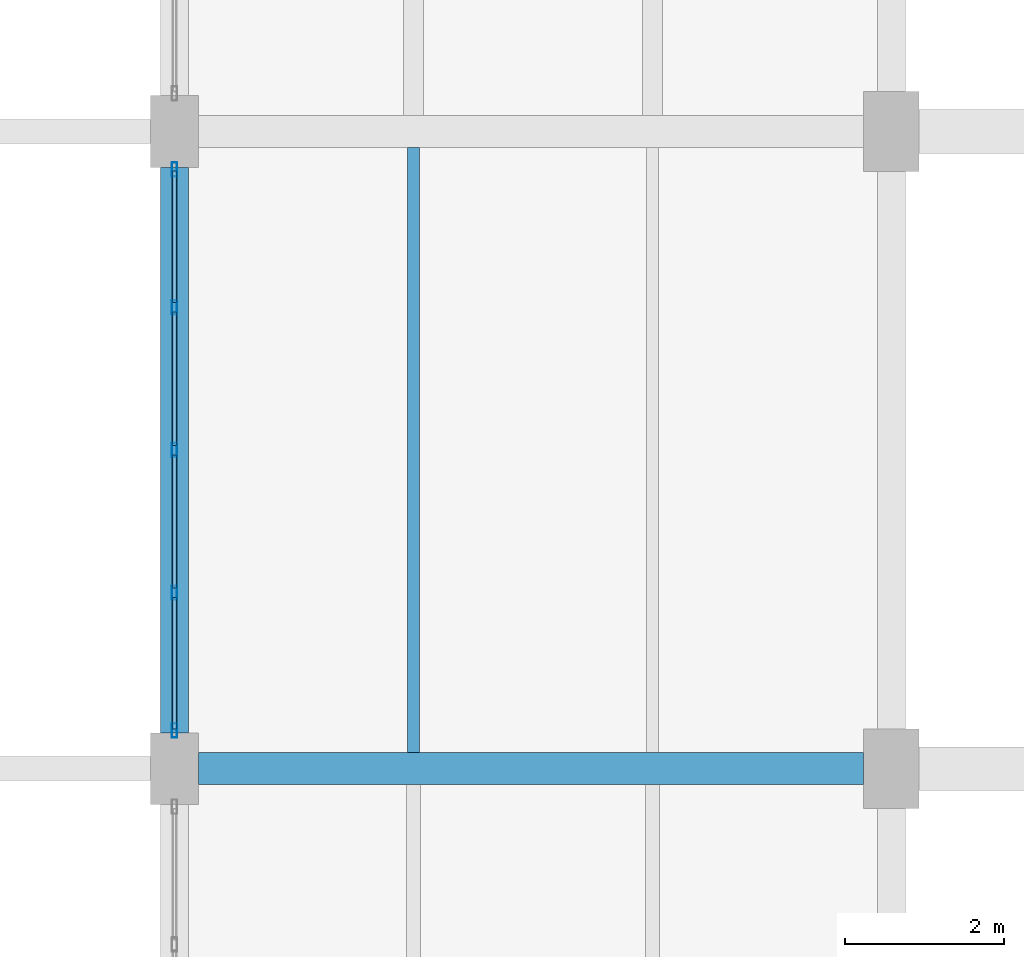
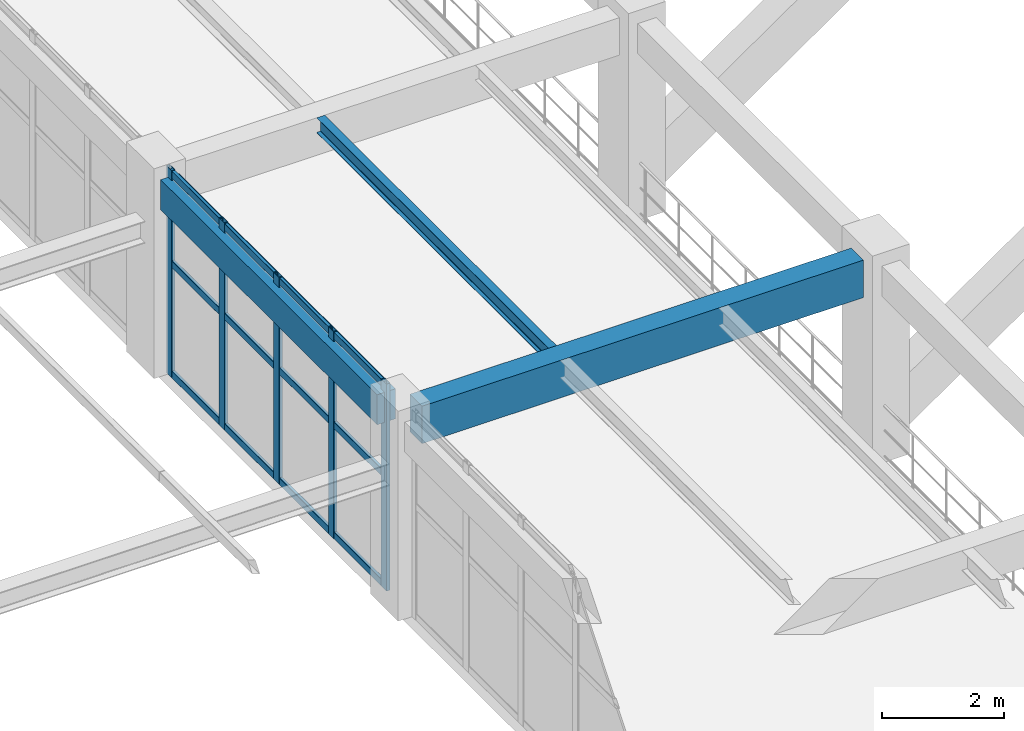
# One storey, part 52 of 148: 17 members, 3 beams, 1 element without a shape of its own.
"""IFC4 building model written with IfcOpenShell, lengths in metres."""

from ifc_helpers import new_model, si_unit, derived_unit, direction, frame, origin, origin_2d, place, context, subcontext, project, spatial, rectangle, hollow_rectangle, i_section, extrude, material, material_profile, profile_set, type_object, element, aggregate, save


model = new_model("IFC4")

# Units and contexts
model_context = context("Model", 3, precision=1e-05, world=origin(), true_north=direction((0.0, 1.0)))
body_context = subcontext(model_context, "Body", "Model", "MODEL_VIEW")
ifc_project = project(units=[si_unit("LENGTHUNIT", "METRE"), si_unit("AREAUNIT", "SQUARE_METRE"), si_unit("VOLUMEUNIT", "CUBIC_METRE"), si_unit("PLANEANGLEUNIT", "RADIAN"), si_unit("MASSUNIT", "GRAM", prefix="KILO"), derived_unit("THERMALTRANSMITTANCEUNIT", [(si_unit("MASSUNIT", "GRAM", prefix="KILO"), 1), (si_unit("TIMEUNIT", "SECOND"), -3), (si_unit("THERMODYNAMICTEMPERATUREUNIT", "KELVIN"), -1)])], contexts=[model_context])

# Site, building, storey
site_placement = place(None, origin())
site = spatial("IfcSite", under=ifc_project, at=site_placement, CompositionType="ELEMENT")
building_placement = place(site_placement, origin())
building = spatial("IfcBuilding", under=site, at=building_placement, Name="Zhenchuan Archway Interchange", CompositionType="ELEMENT")
storey_placement = place(building_placement, frame((0.0, 0.0, 10.199951171875)))
storey = spatial("IfcBuildingStorey", under=building, at=storey_placement, Name="L02", CompositionType="ELEMENT", Elevation=10.199951171875)

# Beam
ifc_material_1 = material(Name="Concrete C40", Category="concrete")
ifc_material_profile_1 = material_profile(ifc_material_1, rectangle(XDim=0.39990234375, YDim=0.75, at=origin_2d()), Name="RC 400x750")
ifc_profile_set_1 = profile_set([ifc_material_profile_1], Name="Concrete C40")
beam_type_1 = type_object("IfcBeamType", Name="BM_RC_400x750", PredefinedType="BEAM", material=ifc_profile_set_1)
beam_1_placement = place(storey_placement, frame((27.300048828125, 64.0, 3.56494140625), z_axis=(1.0, 0.0, 0.0), x_axis=(0.0, 1.0, 0.0)))
element("IfcBeam", 1, at=beam_1_placement, inside=storey, type_object=beam_type_1, Name="Beam J:4-5 (L02)", PredefinedType="BEAM", context=body_context, shape_type="SweptSolid", body=[
    extrude(rectangle(XDim=0.39990234375, YDim=0.75, at=origin_2d()), origin(), (0.0, 0.0, 1.0), 8.349853515625),
])

# Curtain wall, members
ifc_material_2 = material(Name="Anodised Aluminium", Category="aluminium")
curtain_wall_type = type_object("IfcCurtainWallType", Name="CW_UNIT_4", PredefinedType="NOTDEFINED", material=ifc_material_2)
curtain_wall_placement = place(storey_placement, origin())
curtain_wall = element("IfcCurtainWall", 2, at=curtain_wall_placement, inside=storey, type_object=curtain_wall_type, Name="Unitised curtain wall CW:L02:131", PredefinedType="NOTDEFINED")
ifc_material_profile_2 = material_profile(ifc_material_2, hollow_rectangle(XDim=0.070068359375, YDim=0.179931640625, WallThickness=0.00390625, InnerFilletRadius=0.00390625, OuterFilletRadius=0.008056640625, at=origin_2d()), Name="ALU 180x70x4")
ifc_profile_set_2 = profile_set([ifc_material_profile_2], Name="Anodised Aluminium")
member_type_1 = type_object("IfcMemberType", Name="CW_MUL_180", PredefinedType="MULLION", material=ifc_profile_set_2)
member_1_placement = place(storey_placement, frame((27.0, 64.47802734375, 0.0), z_axis=(0.0, 0.0, 1.0), x_axis=(1.0, 0.0, 0.0)))
member_1 = element("IfcMember", 3, at=member_1_placement, type_object=member_type_1, Name="CW:L02:131 mullion 0", PredefinedType="MULLION", context=body_context, shape_type="SweptSolid", body=[
    extrude(hollow_rectangle(XDim=0.070068359375, YDim=0.179931640625, WallThickness=0.00390625, InnerFilletRadius=0.00390625, OuterFilletRadius=0.008056640625, at=origin_2d()), origin(), (0.0, 0.0, 1.0), 4.14013671875),
])
member_2_placement = place(storey_placement, frame((27.0, 66.208984375, 0.0), z_axis=(0.0, 0.0, 1.0), x_axis=(1.0, 0.0, 0.0)))
member_2 = element("IfcMember", 4, at=member_2_placement, type_object=member_type_1, Name="CW:L02:131 mullion 1", PredefinedType="MULLION", context=body_context, shape_type="SweptSolid", body=[
    extrude(hollow_rectangle(XDim=0.070068359375, YDim=0.179931640625, WallThickness=0.00390625, InnerFilletRadius=0.00390625, OuterFilletRadius=0.008056640625, at=origin_2d()), origin(), (0.0, 0.0, 1.0), 4.14013671875),
])
member_3_placement = place(storey_placement, frame((27.0, 68.0, 0.0), z_axis=(0.0, 0.0, 1.0), x_axis=(1.0, 0.0, 0.0)))
member_3 = element("IfcMember", 5, at=member_3_placement, type_object=member_type_1, Name="CW:L02:131 mullion 2", PredefinedType="MULLION", context=body_context, shape_type="SweptSolid", body=[
    extrude(hollow_rectangle(XDim=0.070068359375, YDim=0.179931640625, WallThickness=0.00390625, InnerFilletRadius=0.00390625, OuterFilletRadius=0.008056640625, at=origin_2d()), origin(), (0.0, 0.0, 1.0), 4.14013671875),
])
member_4_placement = place(storey_placement, frame((27.0, 69.791015625, 0.0), z_axis=(0.0, 0.0, 1.0), x_axis=(1.0, 0.0, 0.0)))
member_4 = element("IfcMember", 6, at=member_4_placement, type_object=member_type_1, Name="CW:L02:131 mullion 3", PredefinedType="MULLION", context=body_context, shape_type="SweptSolid", body=[
    extrude(hollow_rectangle(XDim=0.070068359375, YDim=0.179931640625, WallThickness=0.00390625, InnerFilletRadius=0.00390625, OuterFilletRadius=0.008056640625, at=origin_2d()), origin(), (0.0, 0.0, 1.0), 4.14013671875),
])
member_5_placement = place(storey_placement, frame((27.0, 71.52197265625, 0.0), z_axis=(0.0, 0.0, 1.0), x_axis=(1.0, 0.0, 0.0)))
member_5 = element("IfcMember", 7, at=member_5_placement, type_object=member_type_1, Name="CW:L02:131 mullion 4", PredefinedType="MULLION", context=body_context, shape_type="SweptSolid", body=[
    extrude(hollow_rectangle(XDim=0.070068359375, YDim=0.179931640625, WallThickness=0.00390625, InnerFilletRadius=0.00390625, OuterFilletRadius=0.008056640625, at=origin_2d()), origin(), (0.0, 0.0, 1.0), 4.14013671875),
])
ifc_material_profile_3 = material_profile(ifc_material_2, hollow_rectangle(XDim=0.06005859375, YDim=0.139892578125, WallThickness=0.00341796875, InnerFilletRadius=0.00341796875, OuterFilletRadius=0.007080078125, at=origin_2d()), Name="ALU 140x60x3.5")
ifc_profile_set_3 = profile_set([ifc_material_profile_3], Name="Anodised Aluminium")
member_type_2 = type_object("IfcMemberType", Name="CW_TRN_140", PredefinedType="USERDEFINED", material=ifc_profile_set_3)
member_6_placement = place(storey_placement, frame((27.0, 64.498046875, 0.06005859375), z_axis=(0.0, 1.0, 0.0), x_axis=(-1.0, 0.0, 0.0)))
member_6 = element("IfcMember", 8, at=member_6_placement, type_object=member_type_2, Name="CW:L02:131 transom 0-1", ObjectType="TRANSOM", PredefinedType="USERDEFINED", context=body_context, shape_type="SweptSolid", body=[
    extrude(hollow_rectangle(XDim=0.06005859375, YDim=0.139892578125, WallThickness=0.00341796875, InnerFilletRadius=0.00341796875, OuterFilletRadius=0.007080078125, at=origin_2d()), origin(), (0.0, 0.0, 1.0), 1.65087890625),
])
member_7_placement = place(storey_placement, frame((27.0, 64.498046875, 2.26611328125), z_axis=(0.0, 1.0, 0.0), x_axis=(-1.0, 0.0, 0.0)))
member_7 = element("IfcMember", 9, at=member_7_placement, type_object=member_type_2, Name="CW:L02:131 transom 0-2", ObjectType="TRANSOM", PredefinedType="USERDEFINED", context=body_context, shape_type="SweptSolid", body=[
    extrude(hollow_rectangle(XDim=0.06005859375, YDim=0.139892578125, WallThickness=0.00341796875, InnerFilletRadius=0.00341796875, OuterFilletRadius=0.007080078125, at=origin_2d()), origin(), (0.0, 0.0, 1.0), 1.65087890625),
])
member_8_placement = place(storey_placement, frame((27.0, 64.498046875, 4.06005859375), z_axis=(0.0, 1.0, 0.0), x_axis=(-1.0, 0.0, 0.0)))
member_8 = element("IfcMember", 10, at=member_8_placement, type_object=member_type_2, Name="CW:L02:131 transom 0-3", ObjectType="TRANSOM", PredefinedType="USERDEFINED", context=body_context, shape_type="SweptSolid", body=[
    extrude(hollow_rectangle(XDim=0.06005859375, YDim=0.139892578125, WallThickness=0.00341796875, InnerFilletRadius=0.00341796875, OuterFilletRadius=0.007080078125, at=origin_2d()), origin(), (0.0, 0.0, 1.0), 1.65087890625),
])
member_9_placement = place(storey_placement, frame((27.0, 66.26904296875, 0.06005859375), z_axis=(0.0, 1.0, 0.0), x_axis=(-1.0, 0.0, 0.0)))
member_9 = element("IfcMember", 11, at=member_9_placement, type_object=member_type_2, Name="CW:L02:131 transom 1-1", ObjectType="TRANSOM", PredefinedType="USERDEFINED", context=body_context, shape_type="SweptSolid", body=[
    extrude(hollow_rectangle(XDim=0.06005859375, YDim=0.139892578125, WallThickness=0.00341796875, InnerFilletRadius=0.00341796875, OuterFilletRadius=0.007080078125, at=origin_2d()), origin(), (0.0, 0.0, 1.0), 1.6708984375),
])
member_10_placement = place(storey_placement, frame((27.0, 66.26904296875, 2.26611328125), z_axis=(0.0, 1.0, 0.0), x_axis=(-1.0, 0.0, 0.0)))
member_10 = element("IfcMember", 12, at=member_10_placement, type_object=member_type_2, Name="CW:L02:131 transom 1-2", ObjectType="TRANSOM", PredefinedType="USERDEFINED", context=body_context, shape_type="SweptSolid", body=[
    extrude(hollow_rectangle(XDim=0.06005859375, YDim=0.139892578125, WallThickness=0.00341796875, InnerFilletRadius=0.00341796875, OuterFilletRadius=0.007080078125, at=origin_2d()), origin(), (0.0, 0.0, 1.0), 1.6708984375),
])
member_11_placement = place(storey_placement, frame((27.0, 66.26904296875, 4.06005859375), z_axis=(0.0, 1.0, 0.0), x_axis=(-1.0, 0.0, 0.0)))
member_11 = element("IfcMember", 13, at=member_11_placement, type_object=member_type_2, Name="CW:L02:131 transom 1-3", ObjectType="TRANSOM", PredefinedType="USERDEFINED", context=body_context, shape_type="SweptSolid", body=[
    extrude(hollow_rectangle(XDim=0.06005859375, YDim=0.139892578125, WallThickness=0.00341796875, InnerFilletRadius=0.00341796875, OuterFilletRadius=0.007080078125, at=origin_2d()), origin(), (0.0, 0.0, 1.0), 1.6708984375),
])
member_12_placement = place(storey_placement, frame((27.0, 68.06005859375, 0.06005859375), z_axis=(0.0, 1.0, 0.0), x_axis=(-1.0, 0.0, 0.0)))
member_12 = element("IfcMember", 14, at=member_12_placement, type_object=member_type_2, Name="CW:L02:131 transom 2-1", ObjectType="TRANSOM", PredefinedType="USERDEFINED", context=body_context, shape_type="SweptSolid", body=[
    extrude(hollow_rectangle(XDim=0.06005859375, YDim=0.139892578125, WallThickness=0.00341796875, InnerFilletRadius=0.00341796875, OuterFilletRadius=0.007080078125, at=origin_2d()), origin(), (0.0, 0.0, 1.0), 1.6708984375),
])
member_13_placement = place(storey_placement, frame((27.0, 68.06005859375, 2.26611328125), z_axis=(0.0, 1.0, 0.0), x_axis=(-1.0, 0.0, 0.0)))
member_13 = element("IfcMember", 15, at=member_13_placement, type_object=member_type_2, Name="CW:L02:131 transom 2-2", ObjectType="TRANSOM", PredefinedType="USERDEFINED", context=body_context, shape_type="SweptSolid", body=[
    extrude(hollow_rectangle(XDim=0.06005859375, YDim=0.139892578125, WallThickness=0.00341796875, InnerFilletRadius=0.00341796875, OuterFilletRadius=0.007080078125, at=origin_2d()), origin(), (0.0, 0.0, 1.0), 1.6708984375),
])
member_14_placement = place(storey_placement, frame((27.0, 68.06005859375, 4.06005859375), z_axis=(0.0, 1.0, 0.0), x_axis=(-1.0, 0.0, 0.0)))
member_14 = element("IfcMember", 16, at=member_14_placement, type_object=member_type_2, Name="CW:L02:131 transom 2-3", ObjectType="TRANSOM", PredefinedType="USERDEFINED", context=body_context, shape_type="SweptSolid", body=[
    extrude(hollow_rectangle(XDim=0.06005859375, YDim=0.139892578125, WallThickness=0.00341796875, InnerFilletRadius=0.00341796875, OuterFilletRadius=0.007080078125, at=origin_2d()), origin(), (0.0, 0.0, 1.0), 1.6708984375),
])
member_15_placement = place(storey_placement, frame((27.0, 69.85107421875, 0.06005859375), z_axis=(0.0, 1.0, 0.0), x_axis=(-1.0, 0.0, 0.0)))
member_15 = element("IfcMember", 17, at=member_15_placement, type_object=member_type_2, Name="CW:L02:131 transom 3-1", ObjectType="TRANSOM", PredefinedType="USERDEFINED", context=body_context, shape_type="SweptSolid", body=[
    extrude(hollow_rectangle(XDim=0.06005859375, YDim=0.139892578125, WallThickness=0.00341796875, InnerFilletRadius=0.00341796875, OuterFilletRadius=0.007080078125, at=origin_2d()), origin(), (0.0, 0.0, 1.0), 1.65087890625),
])
member_16_placement = place(storey_placement, frame((27.0, 69.85107421875, 2.26611328125), z_axis=(0.0, 1.0, 0.0), x_axis=(-1.0, 0.0, 0.0)))
member_16 = element("IfcMember", 18, at=member_16_placement, type_object=member_type_2, Name="CW:L02:131 transom 3-2", ObjectType="TRANSOM", PredefinedType="USERDEFINED", context=body_context, shape_type="SweptSolid", body=[
    extrude(hollow_rectangle(XDim=0.06005859375, YDim=0.139892578125, WallThickness=0.00341796875, InnerFilletRadius=0.00341796875, OuterFilletRadius=0.007080078125, at=origin_2d()), origin(), (0.0, 0.0, 1.0), 1.65087890625),
])
member_17_placement = place(storey_placement, frame((27.0, 69.85107421875, 4.06005859375), z_axis=(0.0, 1.0, 0.0), x_axis=(-1.0, 0.0, 0.0)))
member_17 = element("IfcMember", 19, at=member_17_placement, type_object=member_type_2, Name="CW:L02:131 transom 3-3", ObjectType="TRANSOM", PredefinedType="USERDEFINED", context=body_context, shape_type="SweptSolid", body=[
    extrude(hollow_rectangle(XDim=0.06005859375, YDim=0.139892578125, WallThickness=0.00341796875, InnerFilletRadius=0.00341796875, OuterFilletRadius=0.007080078125, at=origin_2d()), origin(), (0.0, 0.0, 1.0), 1.65087890625),
])
aggregate(curtain_wall, [member_1, member_2, member_3, member_4, member_5, member_6, member_7, member_8, member_9, member_10, member_11, member_12, member_13, member_14, member_15, member_16, member_17])

# Beams
ifc_material_3 = material(Name="Steel Q355", Category="steel")
ifc_material_profile_4 = material_profile(ifc_material_3, i_section(OverallWidth=0.14990234375, OverallDepth=0.300048828125, WebThickness=0.006591796875, FlangeThickness=0.009033203125, FilletRadius=0.012939453125, at=origin_2d()), Name="HN 300x150")
ifc_profile_set_4 = profile_set([ifc_material_profile_4], Name="Steel Q355")
beam_type_2 = type_object("IfcBeamType", Name="JST_STL_HN300", PredefinedType="JOIST", material=ifc_profile_set_4)
beam_2_placement = place(storey_placement, frame((30.0, 64.199951171875, 3.7900390625), z_axis=(0.0, 1.0, 0.0), x_axis=(-1.0, 0.0, 0.0)))
element("IfcBeam", 20, at=beam_2_placement, inside=storey, type_object=beam_type_2, Name="Secondary joist 4-5/J-K #1 (L02)", PredefinedType="JOIST", context=body_context, shape_type="SweptSolid", body=[
    extrude(i_section(OverallWidth=0.14990234375, OverallDepth=0.300048828125, WebThickness=0.006591796875, FlangeThickness=0.009033203125, FilletRadius=0.012939453125, at=origin_2d()), origin(), (0.0, 0.0, 1.0), 7.60009765625),
])
ifc_material_profile_5 = material_profile(ifc_material_1, rectangle(XDim=0.35009765625, YDim=0.60009765625, at=origin_2d()), Name="RC 350x600")
ifc_profile_set_5 = profile_set([ifc_material_profile_5], Name="Concrete C40")
beam_type_3 = type_object("IfcBeamType", Name="SP_RC_350x600", PredefinedType="SPANDREL", material=ifc_profile_set_5)
beam_3_placement = place(storey_placement, frame((27.0, 64.449951171875, 3.64013671875), z_axis=(0.0, 1.0, 0.0), x_axis=(-1.0, 0.0, 0.0)))
element("IfcBeam", 21, at=beam_3_placement, inside=storey, type_object=beam_type_3, Name="Beam 4:J-K (L02)", PredefinedType="SPANDREL", context=body_context, shape_type="SweptSolid", body=[
    extrude(rectangle(XDim=0.35009765625, YDim=0.60009765625, at=origin_2d()), origin(), (0.0, 0.0, 1.0), 7.10009765625),
])

save(model, "model.ifc")
